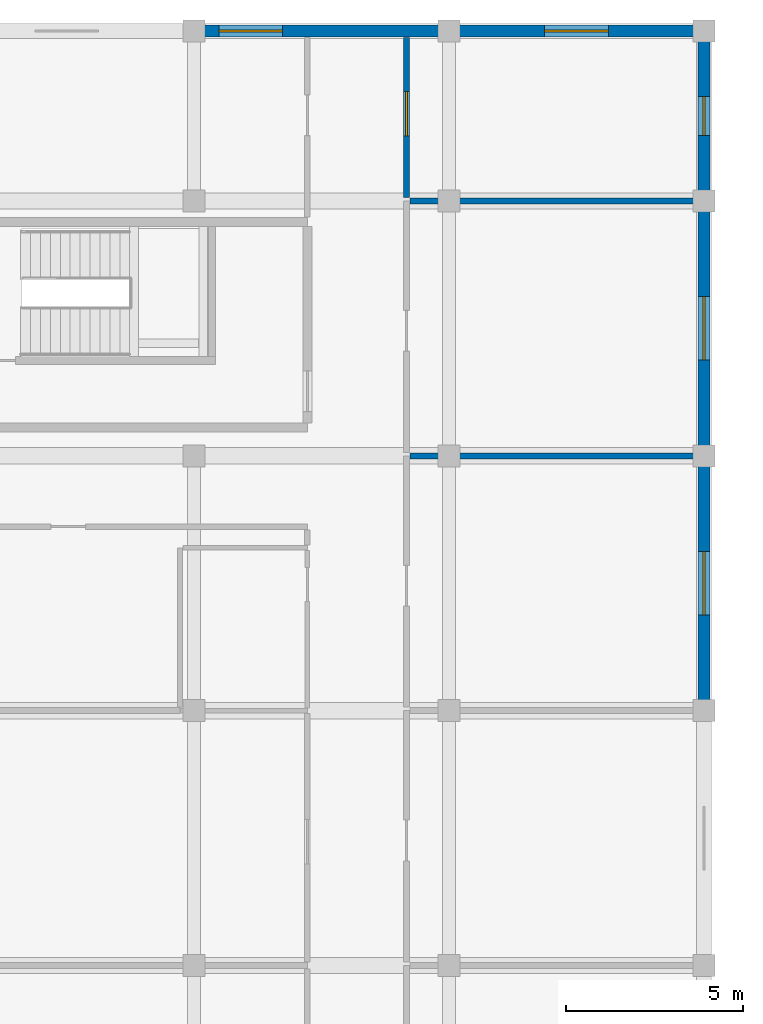
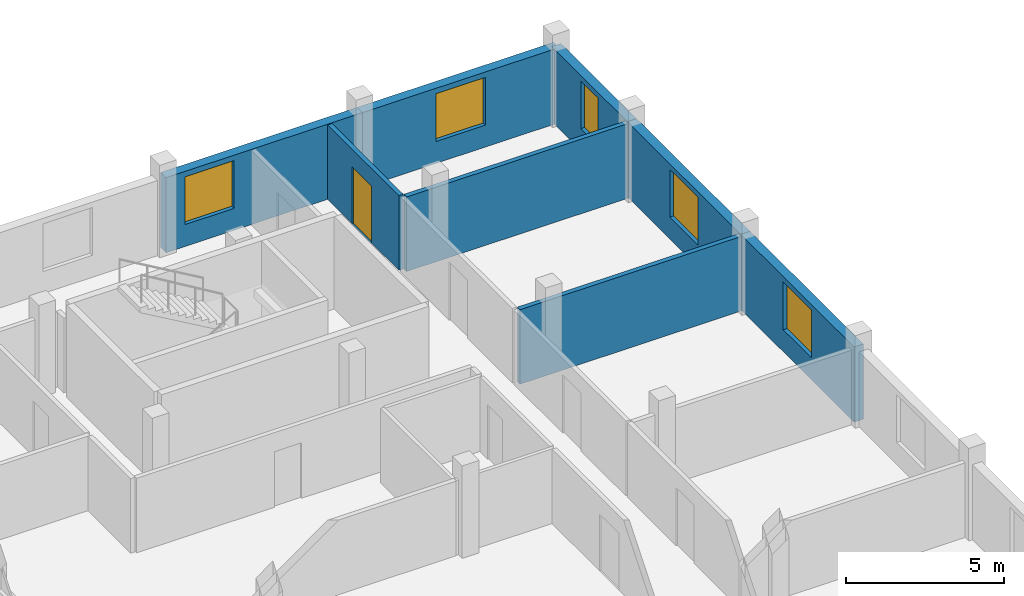
# One storey, part 84 of 93: 8 walls, 5 windows, 1 door, 6 openings.
"""IFC4 building model written with IfcOpenShell, lengths in metres."""

from ifc_helpers import new_model, si_unit, direction, frame, frame_2d, origin, place, context, subcontext, project, spatial, rectangle, extrude, material, layer, layer_set, type_object, element, fill, save


model = new_model("IFC4")

# Units and contexts
model_context = context("Model", 3, precision=1e-05, world=origin(), true_north=direction((0.0, 1.0)))
body_context = subcontext(model_context, "Body", "Model", "MODEL_VIEW")
ifc_project = project(units=[si_unit("LENGTHUNIT", "METRE"), si_unit("AREAUNIT", "SQUARE_METRE"), si_unit("VOLUMEUNIT", "CUBIC_METRE"), si_unit("PLANEANGLEUNIT", "RADIAN"), si_unit("MASSUNIT", "GRAM", prefix="KILO")], contexts=[model_context])

# Site, building, storey
site_placement = place(None, origin())
site = spatial("IfcSite", under=ifc_project, at=site_placement, CompositionType="ELEMENT")
building_placement = place(site_placement, origin())
building = spatial("IfcBuilding", under=site, at=building_placement, Name="Zornivar Specialist Clinic", CompositionType="ELEMENT")
storey_placement = place(building_placement, frame((0.0, 0.0, 8.39990234375)))
storey = spatial("IfcBuildingStorey", under=building, at=storey_placement, Name="L02", CompositionType="ELEMENT", Elevation=8.39990234375)

# Wall, opening, window
ifc_material_1 = material(Name="Masonry Laboratory Terracotta and Stone Cavity Wall", Category="masonry")
ifc_layer_1 = layer(ifc_material_1, 0.340087890625)
ifc_layer_set_1 = layer_set([ifc_layer_1], Name="Masonry Laboratory Terracotta and Stone Cavity Wall")
wall_type_1 = type_object("IfcWallType", Name="EW-LAB-340", PredefinedType="SOLIDWALL", material=ifc_layer_set_1)
wall_1_placement = place(storey_placement, frame((165.60009765625, 93.60009765625, 0.0), z_axis=(0.0, 0.0, 1.0), x_axis=(0.0, 1.0, 0.0)))
wall_1 = element("IfcWall", 1, at=wall_1_placement, inside=storey, type_object=wall_type_1, Name="ew:V6:L02:08", PredefinedType="SOLIDWALL", context=body_context, shape_type="SweptSolid", body=[
    extrude(rectangle(XDim=7.199951171875, YDim=0.340087890625, at=frame_2d((3.60009765625, 0.0))), origin(), (0.0, 0.0, 1.0), 2.91015625),
])
opening_1_placement = place(wall_1_placement, frame((2.699951171875, 0.0, 0.85009765625)))
opening_1 = element("IfcOpeningElement", 2, at=opening_1_placement, cuts=wall_1, Name="Opening W-20", PredefinedType="OPENING", context=body_context, shape_type="SweptSolid", body=[
    extrude(rectangle(XDim=1.800048828125, YDim=1.85009765625, at=frame_2d((0.89990234375, 0.925048828125))), frame((0.0, 0.179931640625, 0.0), z_axis=(0.0, -1.0, 0.0), x_axis=(1.0, 0.0, 0.0)), (0.0, 0.0, 1.0), 0.360107421875),
])
ifc_material_2 = material(Name="Triple-Glazed Aluminium-Timber Window Glass", Category="wood")
window_type_1 = type_object("IfcWindowType", Name="WIN-LAB-LOWER-1800x1850", PartitioningType="SINGLE_PANEL", PredefinedType="WINDOW", material=ifc_material_2)
window_1_placement = place(opening_1_placement, origin())
window_1 = element("IfcWindow", 3, at=window_1_placement, inside=storey, type_object=window_type_1, Name="win:V6:L02:08", OverallHeight=1.85009765625, OverallWidth=1.800048828125, PartitioningType="SINGLE_PANEL", PredefinedType="WINDOW", context=body_context, shape_type="SweptSolid", body=[
    extrude(rectangle(XDim=1.800048828125, YDim=1.85009765625, at=frame_2d((0.89990234375, 0.925048828125))), frame((0.0, 0.030029296875, 0.0), z_axis=(0.0, -1.0, 0.0), x_axis=(1.0, 0.0, 0.0)), (0.0, 0.0, 1.0), 0.06005859375),
])
fill(opening_1, window_1)

wall_2_placement = place(storey_placement, frame((165.60009765625, 100.800048828125, 0.0), z_axis=(0.0, 0.0, 1.0), x_axis=(0.0, 1.0, 0.0)))
wall_2 = element("IfcWall", 4, at=wall_2_placement, inside=storey, type_object=wall_type_1, Name="ew:V6:L02:09", PredefinedType="SOLIDWALL", context=body_context, shape_type="SweptSolid", body=[
    extrude(rectangle(XDim=7.199951171875, YDim=0.340087890625, at=frame_2d((3.60009765625, 0.0))), origin(), (0.0, 0.0, 1.0), 2.91015625),
])
opening_2_placement = place(wall_2_placement, frame((2.699951171875, 0.0, 0.85009765625)))
opening_2 = element("IfcOpeningElement", 5, at=opening_2_placement, cuts=wall_2, Name="Opening W-20", PredefinedType="OPENING", context=body_context, shape_type="SweptSolid", body=[
    extrude(rectangle(XDim=1.800048828125, YDim=1.85009765625, at=frame_2d((0.89990234375, 0.925048828125))), frame((0.0, 0.179931640625, 0.0), z_axis=(0.0, -1.0, 0.0), x_axis=(1.0, 0.0, 0.0)), (0.0, 0.0, 1.0), 0.360107421875),
])
window_2_placement = place(opening_2_placement, origin())
window_2 = element("IfcWindow", 6, at=window_2_placement, inside=storey, type_object=window_type_1, Name="win:V6:L02:09", OverallHeight=1.85009765625, OverallWidth=1.800048828125, PartitioningType="SINGLE_PANEL", PredefinedType="WINDOW", context=body_context, shape_type="SweptSolid", body=[
    extrude(rectangle(XDim=1.800048828125, YDim=1.85009765625, at=frame_2d((0.89990234375, 0.925048828125))), frame((0.0, 0.030029296875, 0.0), z_axis=(0.0, -1.0, 0.0), x_axis=(1.0, 0.0, 0.0)), (0.0, 0.0, 1.0), 0.06005859375),
])
fill(opening_2, window_2)

wall_3_placement = place(storey_placement, frame((165.60009765625, 108.0, 0.0), z_axis=(0.0, 0.0, 1.0), x_axis=(0.0, 1.0, 0.0)))
wall_3 = element("IfcWall", 7, at=wall_3_placement, inside=storey, type_object=wall_type_1, Name="ew:V6:L02:10", PredefinedType="SOLIDWALL", context=body_context, shape_type="SweptSolid", body=[
    extrude(rectangle(XDim=4.800048828125, YDim=0.340087890625, at=frame_2d((2.39990234375, 0.0))), origin(), (0.0, 0.0, 1.0), 2.91015625),
])
opening_3_placement = place(wall_3_placement, frame((1.85009765625, 0.0, 0.85009765625)))
opening_3 = element("IfcOpeningElement", 8, at=opening_3_placement, cuts=wall_3, Name="Opening W-07", PredefinedType="OPENING", context=body_context, shape_type="SweptSolid", body=[
    extrude(rectangle(XDim=1.10009765625, YDim=1.85009765625, at=frame_2d((0.550048828125, 0.925048828125))), frame((0.0, 0.179931640625, 0.0), z_axis=(0.0, -1.0, 0.0), x_axis=(1.0, 0.0, 0.0)), (0.0, 0.0, 1.0), 0.360107421875),
])
ifc_material_3 = material(Name="Triple-Glazed Aluminium-Timber Window Glass", Category="wood")
window_type_2 = type_object("IfcWindowType", Name="WIN-OUTP-PIER-1100x1850", PartitioningType="SINGLE_PANEL", PredefinedType="WINDOW", material=ifc_material_3)
window_3_placement = place(opening_3_placement, origin())
window_3 = element("IfcWindow", 9, at=window_3_placement, inside=storey, type_object=window_type_2, Name="win:V6:L02:10", OverallHeight=1.85009765625, OverallWidth=1.10009765625, PartitioningType="SINGLE_PANEL", PredefinedType="WINDOW", context=body_context, shape_type="SweptSolid", body=[
    extrude(rectangle(XDim=1.10009765625, YDim=1.85009765625, at=frame_2d((0.550048828125, 0.925048828125))), frame((0.0, 0.030029296875, 0.0), z_axis=(0.0, -1.0, 0.0), x_axis=(1.0, 0.0, 0.0)), (0.0, 0.0, 1.0), 0.06005859375),
])
fill(opening_3, window_3)

wall_4_placement = place(storey_placement, frame((165.60009765625, 112.800048828125, 0.0), z_axis=(0.0, 0.0, 1.0), x_axis=(-1.0, 0.0, 0.0)))
wall_4 = element("IfcWall", 10, at=wall_4_placement, inside=storey, type_object=wall_type_1, Name="ew:V6:L02:11", PredefinedType="SOLIDWALL", context=body_context, shape_type="SweptSolid", body=[
    extrude(rectangle(XDim=7.2001953125, YDim=0.340087890625, at=frame_2d((3.60009765625, 0.0))), origin(), (0.0, 0.0, 1.0), 2.91015625),
])
opening_4_placement = place(wall_4_placement, frame((2.699951171875, 0.0, 0.85009765625)))
opening_4 = element("IfcOpeningElement", 11, at=opening_4_placement, cuts=wall_4, Name="Opening W-20", PredefinedType="OPENING", context=body_context, shape_type="SweptSolid", body=[
    extrude(rectangle(XDim=1.800048828125, YDim=1.85009765625, at=frame_2d((0.89990234375, 0.925048828125))), frame((0.0, 0.179931640625, 0.0), z_axis=(0.0, -1.0, 0.0), x_axis=(1.0, 0.0, 0.0)), (0.0, 0.0, 1.0), 0.360107421875),
])
window_4_placement = place(opening_4_placement, origin())
window_4 = element("IfcWindow", 12, at=window_4_placement, inside=storey, type_object=window_type_1, Name="win:V6:L02:11", OverallHeight=1.85009765625, OverallWidth=1.800048828125, PartitioningType="SINGLE_PANEL", PredefinedType="WINDOW", context=body_context, shape_type="SweptSolid", body=[
    extrude(rectangle(XDim=1.800048828125, YDim=1.85009765625, at=frame_2d((0.89990234375, 0.925048828125))), frame((0.0, 0.030029296875, 0.0), z_axis=(0.0, -1.0, 0.0), x_axis=(1.0, 0.0, 0.0)), (0.0, 0.0, 1.0), 0.06005859375),
])
fill(opening_4, window_4)

wall_5_placement = place(storey_placement, frame((158.39990234375, 112.800048828125, 0.0), z_axis=(0.0, 0.0, 1.0), x_axis=(-1.0, 0.0, 0.0)))
wall_5 = element("IfcWall", 13, at=wall_5_placement, inside=storey, type_object=wall_type_1, Name="ew:V6:L02:12", PredefinedType="SOLIDWALL", context=body_context, shape_type="SweptSolid", body=[
    extrude(rectangle(XDim=7.199951171875, YDim=0.340087890625, at=frame_2d((3.60009765625, 0.0))), origin(), (0.0, 0.0, 1.0), 2.91015625),
])
opening_5_placement = place(wall_5_placement, frame((4.699951171875, 0.0, 0.85009765625)))
opening_5 = element("IfcOpeningElement", 14, at=opening_5_placement, cuts=wall_5, Name="Opening W-20", PredefinedType="OPENING", context=body_context, shape_type="SweptSolid", body=[
    extrude(rectangle(XDim=1.800048828125, YDim=1.85009765625, at=frame_2d((0.89990234375, 0.925048828125))), frame((0.0, 0.179931640625, 0.0), z_axis=(0.0, -1.0, 0.0), x_axis=(1.0, 0.0, 0.0)), (0.0, 0.0, 1.0), 0.360107421875),
])
window_5_placement = place(opening_5_placement, origin())
window_5 = element("IfcWindow", 15, at=window_5_placement, inside=storey, type_object=window_type_1, Name="win:V6:L02:12", OverallHeight=1.85009765625, OverallWidth=1.800048828125, PartitioningType="SINGLE_PANEL", PredefinedType="WINDOW", context=body_context, shape_type="SweptSolid", body=[
    extrude(rectangle(XDim=1.800048828125, YDim=1.85009765625, at=frame_2d((0.89990234375, 0.925048828125))), frame((0.0, 0.030029296875, 0.0), z_axis=(0.0, -1.0, 0.0), x_axis=(1.0, 0.0, 0.0)), (0.0, 0.0, 1.0), 0.06005859375),
])
fill(opening_5, window_5)

# Wall, opening, door
ifc_material_4 = material(Name="Gypsum Fire-Rated Double Stud Partition")
ifc_layer_2 = layer(ifc_material_4, 0.159912109375)
ifc_layer_set_2 = layer_set([ifc_layer_2], Name="Gypsum Fire-Rated Double Stud Partition")
wall_type_2 = type_object("IfcWallType", Name="IW-CORR-EI60-160", PredefinedType="PARTITIONING", material=ifc_layer_set_2)
wall_6_placement = place(storey_placement, frame((157.199951171875, 108.09912109375, 0.0), z_axis=(0.0, 0.0, 1.0), x_axis=(0.0, 1.0, 0.0)))
wall_6 = element("IfcWall", 16, at=wall_6_placement, inside=storey, type_object=wall_type_2, Name="iw:L02:173", PredefinedType="PARTITIONING", context=body_context, shape_type="SweptSolid", body=[
    extrude(rectangle(XDim=4.515869140625, YDim=0.159912109375, at=frame_2d((2.2578125, 0.0))), origin(), (0.0, 0.0, 1.0), 2.89013671875),
])
opening_6_placement = place(wall_6_placement, frame((1.738037109375, 0.0, 0.0)))
opening_6 = element("IfcOpeningElement", 17, at=opening_6_placement, cuts=wall_6, Name="Opening FD-06", PredefinedType="OPENING", context=body_context, shape_type="SweptSolid", body=[
    extrude(rectangle(XDim=1.25, YDim=2.199951171875, at=frame_2d((0.625, 1.10009765625))), frame((0.0, 0.08984375, 0.0), z_axis=(0.0, -1.0, 0.0), x_axis=(1.0, 0.0, 0.0)), (0.0, 0.0, 1.0), 0.179931640625),
])
ifc_material_5 = material(Name="Solid-Core Hygienic Laminate Timber Door", Category="wood")
door_type = type_object("IfcDoorType", Name="FD-PHARM-GMP-1250x2200", OperationType="NOTDEFINED", PredefinedType="DOOR", material=ifc_material_5)
door_placement = place(opening_6_placement, origin())
door = element("IfcDoor", 18, at=door_placement, inside=storey, type_object=door_type, Name="door:space:V6:L02:rm:14", OperationType="SINGLE_SWING_RIGHT", OverallHeight=2.199951171875, OverallWidth=1.25, PredefinedType="DOOR", context=body_context, shape_type="SweptSolid", body=[
    extrude(rectangle(XDim=1.25, YDim=2.199951171875, at=frame_2d((0.625, 1.10009765625))), frame((0.0, 0.02490234375, 0.0), z_axis=(0.0, -1.0, 0.0), x_axis=(1.0, 0.0, 0.0)), (0.0, 0.0, 1.0), 0.050048828125),
])
fill(opening_6, door)

# Walls
ifc_material_6 = material(Name="Laboratory Chemical-Resistant Stud Partition")
ifc_layer_3 = layer(ifc_material_6, 0.169921875)
ifc_layer_set_3 = layer_set([ifc_layer_3], Name="Laboratory Chemical-Resistant Stud Partition")
wall_type_3 = type_object("IfcWallType", Name="IW-LAB-EI60-170", PredefinedType="PARTITIONING", material=ifc_layer_set_3)
for number, where, z_axis, x_axis, name in (
    (19, (157.2939453125, 100.800048828125, 0.0), (0.0, 0.0, 1.0), (1.0, 0.0, 0.0), "iw:L02:170"),
    (20, (157.2939453125, 108.0, 0.0), (0.0, 0.0, 1.0), (1.0, 0.0, 0.0), "iw:L02:172"),
):
    element("IfcWall", number, at=place(storey_placement, frame(where, z_axis=z_axis, x_axis=x_axis)), inside=storey, type_object=wall_type_3, Name=name, PredefinedType="PARTITIONING", context=body_context, shape_type="SweptSolid", body=[
        extrude(rectangle(XDim=8.12109375, YDim=0.169921875, at=frame_2d((4.060546875, 0.0))), origin(), (0.0, 0.0, 1.0), 2.89013671875),
    ])

save(model, "model.ifc")
